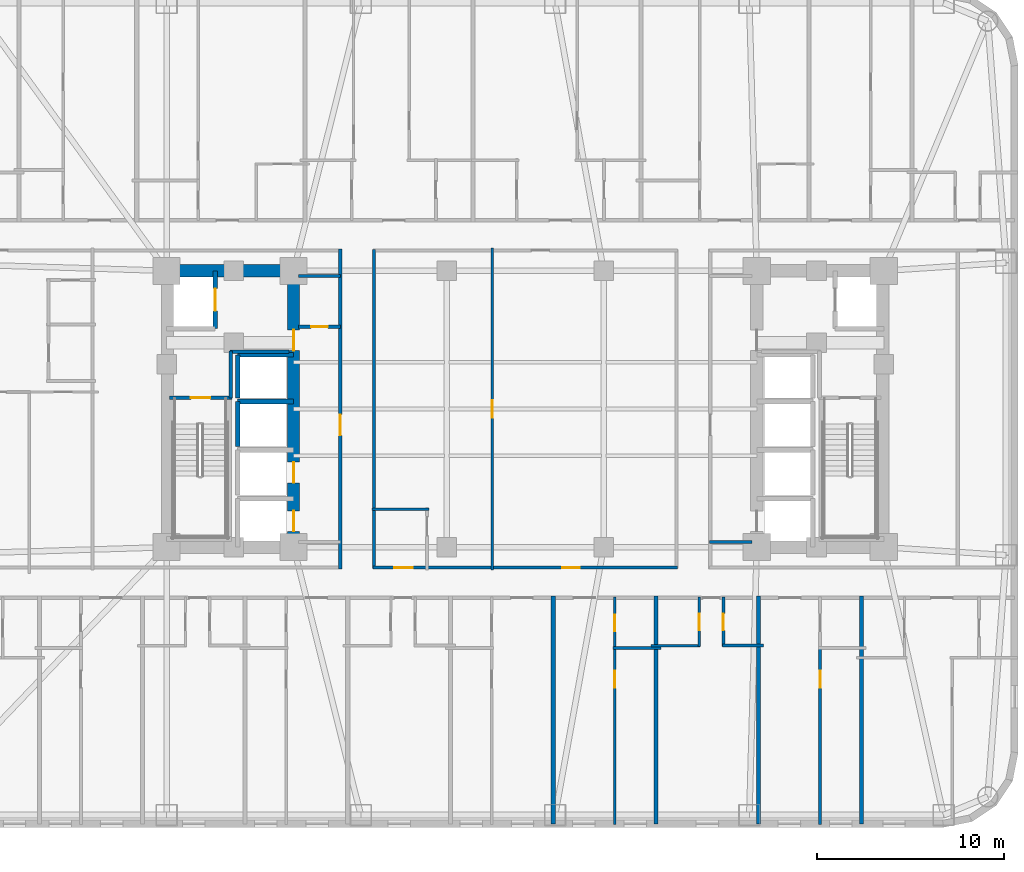
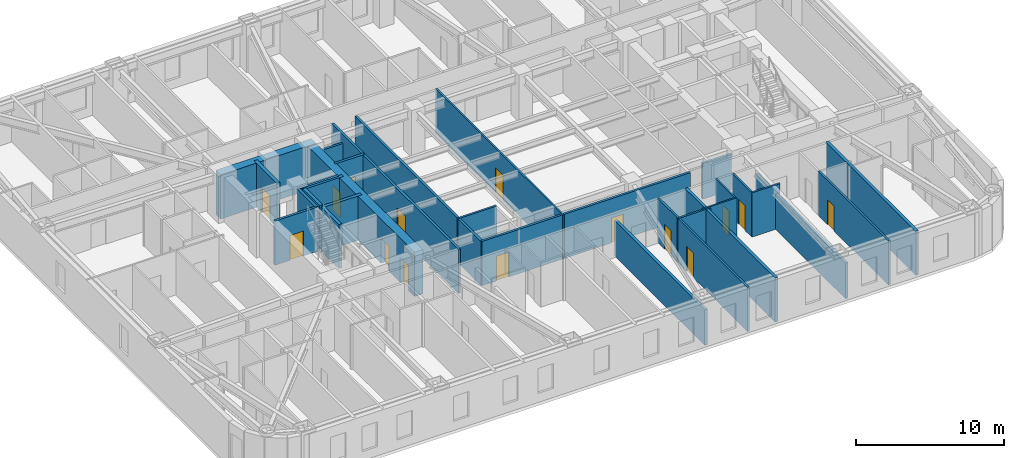
# One storey, part 5 of 11: 30 walls, 15 doors, 15 openings.
"""IFC4 building model written with IfcOpenShell, lengths in metres."""

from ifc_helpers import new_model, si_unit, direction, frame, frame_2d, origin, place, context, subcontext, project, spatial, rectangle, extrude, material, layer, layer_set, type_object, element, fill, save


model = new_model("IFC4")

# Units and contexts
model_context = context("Model", 3, precision=1e-05, world=origin(), true_north=direction((0.0, 1.0)))
body_context = subcontext(model_context, "Body", "Model", "MODEL_VIEW")
ifc_project = project(units=[si_unit("LENGTHUNIT", "METRE"), si_unit("AREAUNIT", "SQUARE_METRE"), si_unit("VOLUMEUNIT", "CUBIC_METRE"), si_unit("PLANEANGLEUNIT", "RADIAN"), si_unit("MASSUNIT", "GRAM", prefix="KILO")], contexts=[model_context])

# Site, building, storey
site_placement = place(None, origin())
site = spatial("IfcSite", under=ifc_project, at=site_placement, CompositionType="ELEMENT")
building_placement = place(site_placement, origin())
building = spatial("IfcBuilding", under=site, at=building_placement, Name="Voryun Gate Residences", CompositionType="ELEMENT")
storey_placement = place(building_placement, frame((0.0, 0.0, 68.89990234375)))
storey = spatial("IfcBuildingStorey", under=building, at=storey_placement, Name="L16", CompositionType="ELEMENT", Elevation=68.89990234375)

# Wall
ifc_material_1 = material(Name="Concrete C60/75", Category="concrete")
ifc_layer_1 = layer(ifc_material_1, 0.64990234375, Name="CW_CORE_650")
ifc_layer_set_1 = layer_set([ifc_layer_1], Name="Concrete C60/75")
wall_type_1 = type_object("IfcWallType", Name="CW_CORE_650", PredefinedType="SHEAR", material=ifc_layer_set_1)
wall_1_placement = place(storey_placement, frame((-19.52490234375, 7.39990234375, 0.0), z_axis=(0.0, 0.0, 1.0), x_axis=(1.0, 0.0, 0.0)))
element("IfcWall", 1, at=wall_1_placement, inside=storey, type_object=wall_type_1, Name="L16 Core shear wall CW-L16-WN", PredefinedType="SHEAR", context=body_context, shape_type="SweptSolid", body=[
    extrude(rectangle(XDim=7.449951171875, YDim=0.64990234375, at=frame_2d((3.72509765625, 0.0))), origin(), (0.0, 0.0, 1.0), 3.650146484375),
])

# Wall, openings, doors
wall_2_placement = place(storey_placement, frame((-12.39990234375, -7.39990234375, 0.0), z_axis=(0.0, 0.0, 1.0), x_axis=(0.0, 1.0, 0.0)))
wall_2 = element("IfcWall", 2, at=wall_2_placement, inside=storey, type_object=wall_type_1, Name="L16 Core shear wall CW-L16-WE", PredefinedType="SHEAR", context=body_context, shape_type="SweptSolid", body=[
    extrude(rectangle(XDim=14.7998046875, YDim=0.64990234375, at=frame_2d((7.39990234375, 0.0))), origin(), (0.0, 0.0, 1.0), 3.650146484375),
])
opening_1_placement = place(wall_2_placement, frame((0.85009765625, 0.0, 0.0)))
opening_1 = element("IfcOpeningElement", 3, at=opening_1_placement, cuts=wall_2, Name="Opening LD2", PredefinedType="OPENING", context=body_context, shape_type="SweptSolid", body=[
    extrude(rectangle(XDim=1.10009765625, YDim=2.050048828125, at=frame_2d((0.550048828125, 1.02490234375))), frame((0.0, 0.3349609375, 0.0), z_axis=(0.0, -1.0, 0.0), x_axis=(1.0, 0.0, 0.0)), (0.0, 0.0, 1.0), 0.669921875),
])
opening_2_placement = place(wall_2_placement, frame((3.449951171875, 0.0, 0.0)))
opening_2 = element("IfcOpeningElement", 4, at=opening_2_placement, cuts=wall_2, Name="Opening LD2", PredefinedType="OPENING", context=body_context, shape_type="SweptSolid", body=[
    extrude(rectangle(XDim=1.10009765625, YDim=2.050048828125, at=frame_2d((0.550048828125, 1.02490234375))), frame((0.0, 0.3349609375, 0.0), z_axis=(0.0, -1.0, 0.0), x_axis=(1.0, 0.0, 0.0)), (0.0, 0.0, 1.0), 0.669921875),
])
opening_3_placement = place(wall_2_placement, frame((10.530029296875, 0.0, 0.0)))
opening_3 = element("IfcOpeningElement", 5, at=opening_3_placement, cuts=wall_2, Name="Opening D-FD60-2", PredefinedType="OPENING", context=body_context, shape_type="SweptSolid", body=[
    extrude(rectangle(XDim=1.10009765625, YDim=2.050048828125, at=frame_2d((0.550048828125, 1.02490234375))), frame((0.0, 0.3349609375, 0.0), z_axis=(0.0, -1.0, 0.0), x_axis=(1.0, 0.0, 0.0)), (0.0, 0.0, 1.0), 0.669921875),
])
ifc_material_2 = material(Name="Painted steel fire door", Category="steel")
door_type_1 = type_object("IfcDoorType", Name="DR_FD60_FFLOB_1100", OperationType="NOTDEFINED", PredefinedType="DOOR", material=ifc_material_2)
door_1_placement = place(opening_3_placement, origin())
door_1 = element("IfcDoor", 6, at=door_1_placement, inside=storey, type_object=door_type_1, Name="Door DR-L16-CLOB-W", OperationType="SINGLE_SWING_LEFT", OverallHeight=2.050048828125, OverallWidth=1.10009765625, PredefinedType="DOOR", context=body_context, shape_type="SweptSolid", body=[
    extrude(rectangle(XDim=1.10009765625, YDim=2.050048828125, at=frame_2d((0.550048828125, 1.02490234375))), frame((0.0, 0.02490234375, 0.0), z_axis=(0.0, -1.0, 0.0), x_axis=(1.0, 0.0, 0.0)), (0.0, 0.0, 1.0), 0.050048828125),
])
fill(opening_3, door_1)
ifc_material_3 = material(Name="Anodised aluminium", Category="aluminium")
door_type_2 = type_object("IfcDoorType", Name="DR_LD_PASS_1100", OperationType="NOTDEFINED", PredefinedType="DOOR", material=ifc_material_3)
door_2_placement = place(opening_1_placement, origin())
door_2 = element("IfcDoor", 7, at=door_2_placement, inside=storey, type_object=door_type_2, Name="Lift EL-P1 sliding landing door L16", OperationType="SLIDING_TO_LEFT", OverallHeight=2.050048828125, OverallWidth=1.10009765625, PredefinedType="DOOR", context=body_context, shape_type="SweptSolid", body=[
    extrude(rectangle(XDim=1.10009765625, YDim=2.050048828125, at=frame_2d((0.550048828125, 1.02490234375))), frame((0.0, 0.02490234375, 0.0), z_axis=(0.0, -1.0, 0.0), x_axis=(1.0, 0.0, 0.0)), (0.0, 0.0, 1.0), 0.050048828125),
])
fill(opening_1, door_2)
door_3_placement = place(opening_2_placement, origin())
door_3 = element("IfcDoor", 8, at=door_3_placement, inside=storey, type_object=door_type_2, Name="Lift EL-P2 sliding landing door L16", OperationType="SLIDING_TO_LEFT", OverallHeight=2.050048828125, OverallWidth=1.10009765625, PredefinedType="DOOR", context=body_context, shape_type="SweptSolid", body=[
    extrude(rectangle(XDim=1.10009765625, YDim=2.050048828125, at=frame_2d((0.550048828125, 1.02490234375))), frame((0.0, 0.02490234375, 0.0), z_axis=(0.0, -1.0, 0.0), x_axis=(1.0, 0.0, 0.0)), (0.0, 0.0, 1.0), 0.050048828125),
])
fill(opening_2, door_3)

# Wall, opening, door
ifc_material_4 = material(Name="Gypsum acoustic fireboard")
ifc_layer_2 = layer(ifc_material_4, 0.179931640625, Name="W_CORR_RATED_180")
ifc_layer_set_2 = layer_set([ifc_layer_2], Name="Gypsum acoustic fireboard")
wall_type_2 = type_object("IfcWallType", Name="W_CORR_RATED_180", PredefinedType="PARTITIONING", material=ifc_layer_set_2)
wall_3_placement = place(storey_placement, frame((-19.06005859375, 0.60009765625, 0.0), z_axis=(0.0, 0.0, 1.0), x_axis=(1.0, 0.0, 0.0)))
wall_3 = element("IfcWall", 9, at=wall_3_placement, inside=storey, type_object=wall_type_2, Name="Partition wall WP-L16-STV-W", PredefinedType="PARTITIONING", context=body_context, shape_type="SweptSolid", body=[
    extrude(rectangle(XDim=3.360107421875, YDim=0.179931640625, at=frame_2d((1.68017578125, 0.0))), origin(), (0.0, 0.0, 1.0), 3.650146484375),
])
opening_4_placement = place(wall_3_placement, frame((1.155029296875, 0.0, 0.0)))
opening_4 = element("IfcOpeningElement", 10, at=opening_4_placement, cuts=wall_3, Name="Opening D-FD60-1", PredefinedType="OPENING", context=body_context, shape_type="SweptSolid", body=[
    extrude(rectangle(XDim=1.050048828125, YDim=2.050048828125, at=frame_2d((0.52490234375, 1.02490234375))), frame((0.0, 0.099853515625, 0.0), z_axis=(0.0, -1.0, 0.0), x_axis=(1.0, 0.0, 0.0)), (0.0, 0.0, 1.0), 0.199951171875),
])
ifc_material_5 = material(Name="Painted steel fire door", Category="steel")
door_type_3 = type_object("IfcDoorType", Name="DR_FD60_STAIR_1050", OperationType="NOTDEFINED", PredefinedType="DOOR", material=ifc_material_5)
door_4_placement = place(opening_4_placement, origin())
door_4 = element("IfcDoor", 11, at=door_4_placement, inside=storey, type_object=door_type_3, Name="Door DR-L16-ST-W", OperationType="SINGLE_SWING_LEFT", OverallHeight=2.050048828125, OverallWidth=1.050048828125, PredefinedType="DOOR", context=body_context, shape_type="SweptSolid", body=[
    extrude(rectangle(XDim=1.050048828125, YDim=2.050048828125, at=frame_2d((0.52490234375, 1.02490234375))), frame((0.0, 0.02490234375, 0.0), z_axis=(0.0, -1.0, 0.0), x_axis=(1.0, 0.0, 0.0)), (0.0, 0.0, 1.0), 0.050048828125),
])
fill(opening_4, door_4)

# Walls
for number, where, z_axis, x_axis, name in (
    (12, (-12.14990234375, 7.1201171875, 0.0), (0.0, 0.0, 1.0), (1.0, 0.0, 0.0), "Partition wall WP-L16-PLBN-W"),
    (13, (9.8798828125, -7.1201171875, 0.0), (0.0, 0.0, 1.0), (1.0, 0.0, 0.0), "Partition wall WP-L16-PLBS-E"),
):
    element("IfcWall", number, at=place(storey_placement, frame(where, z_axis=z_axis, x_axis=x_axis)), inside=storey, type_object=wall_type_2, Name=name, PredefinedType="PARTITIONING", context=body_context, shape_type="SweptSolid", body=[
        extrude(rectangle(XDim=2.27001953125, YDim=0.179931640625, at=frame_2d((1.135009765625, 0.0))), origin(), (0.0, 0.0, 1.0), 2.940185546875),
    ])

# Wall, opening, door
wall_4_placement = place(storey_placement, frame((-9.89990234375, -8.580078125, 0.0), z_axis=(0.0, 0.0, 1.0), x_axis=(0.0, 1.0, 0.0)))
wall_4 = element("IfcWall", 14, at=wall_4_placement, inside=storey, type_object=wall_type_2, Name="Partition wall WP-L16-PLBW-FULL", PredefinedType="PARTITIONING", context=body_context, shape_type="SweptSolid", body=[
    extrude(rectangle(XDim=17.16015625, YDim=0.179931640625, at=frame_2d((8.580078125, 0.0))), origin(), (0.0, 0.0, 1.0), 3.650146484375),
])
opening_5_placement = place(wall_4_placement, frame((7.172119140625, 0.0, 0.0)))
opening_5 = element("IfcOpeningElement", 15, at=opening_5_placement, cuts=wall_4, Name="Opening D-FD60-2", PredefinedType="OPENING", context=body_context, shape_type="SweptSolid", body=[
    extrude(rectangle(XDim=1.10009765625, YDim=2.050048828125, at=frame_2d((0.550048828125, 1.02490234375))), frame((0.0, 0.099853515625, 0.0), z_axis=(0.0, -1.0, 0.0), x_axis=(1.0, 0.0, 0.0)), (0.0, 0.0, 1.0), 0.199951171875),
])
door_5_placement = place(opening_5_placement, origin())
door_5 = element("IfcDoor", 16, at=door_5_placement, inside=storey, type_object=door_type_1, Name="Door DR-L16-PLBW-COR", OperationType="SINGLE_SWING_LEFT", OverallHeight=2.050048828125, OverallWidth=1.10009765625, PredefinedType="DOOR", context=body_context, shape_type="SweptSolid", body=[
    extrude(rectangle(XDim=1.10009765625, YDim=2.050048828125, at=frame_2d((0.550048828125, 1.02490234375))), frame((0.0, 0.02490234375, 0.0), z_axis=(0.0, -1.0, 0.0), x_axis=(1.0, 0.0, 0.0)), (0.0, 0.0, 1.0), 0.050048828125),
])
fill(opening_5, door_5)

# Wall, openings, doors
wall_5_placement = place(storey_placement, frame((-8.14990234375, -8.489990234375, 0.0), z_axis=(0.0, 0.0, 1.0), x_axis=(1.0, 0.0, 0.0)))
wall_5 = element("IfcWall", 17, at=wall_5_placement, inside=storey, type_object=wall_type_2, Name="Partition wall WP-L16-Z1S", PredefinedType="PARTITIONING", context=body_context, shape_type="SweptSolid", body=[
    extrude(rectangle(XDim=16.2998046875, YDim=0.179931640625, at=frame_2d((8.14990234375, 0.0))), origin(), (0.0, 0.0, 1.0), 3.650146484375),
])
opening_6_placement = place(wall_5_placement, frame((1.1298828125, 0.0, 0.0)))
opening_6 = element("IfcOpeningElement", 18, at=opening_6_placement, cuts=wall_5, Name="Opening D-AWC-1", PredefinedType="OPENING", context=body_context, shape_type="SweptSolid", body=[
    extrude(rectangle(XDim=1.0, YDim=2.050048828125, at=frame_2d((0.5, 1.02490234375))), frame((0.0, 0.099853515625, 0.0), z_axis=(0.0, -1.0, 0.0), x_axis=(1.0, 0.0, 0.0)), (0.0, 0.0, 1.0), 0.199951171875),
])
opening_7_placement = place(wall_5_placement, frame((10.1201171875, 0.0, 0.0)))
opening_7 = element("IfcOpeningElement", 19, at=opening_7_placement, cuts=wall_5, Name="Opening D-INT-1", PredefinedType="OPENING", context=body_context, shape_type="SweptSolid", body=[
    extrude(rectangle(XDim=0.949951171875, YDim=2.050048828125, at=frame_2d((0.47509765625, 1.02490234375))), frame((0.0, 0.099853515625, 0.0), z_axis=(0.0, -1.0, 0.0), x_axis=(1.0, 0.0, 0.0)), (0.0, 0.0, 1.0), 0.199951171875),
])
ifc_material_6 = material(Name="Architectural oak veneer")
door_type_4 = type_object("IfcDoorType", Name="DR_ACC_WC_1000", OperationType="NOTDEFINED", PredefinedType="DOOR", material=ifc_material_6)
door_6_placement = place(opening_6_placement, origin())
door_6 = element("IfcDoor", 20, at=door_6_placement, inside=storey, type_object=door_type_4, Name="Door DR-L16-CMWC-D", OperationType="SINGLE_SWING_LEFT", OverallHeight=2.050048828125, OverallWidth=1.0, PredefinedType="DOOR", context=body_context, shape_type="SweptSolid", body=[
    extrude(rectangle(XDim=1.0, YDim=2.050048828125, at=frame_2d((0.5, 1.02490234375))), frame((0.0, 0.02490234375, 0.0), z_axis=(0.0, -1.0, 0.0), x_axis=(1.0, 0.0, 0.0)), (0.0, 0.0, 1.0), 0.050048828125),
])
fill(opening_6, door_6)
ifc_material_7 = material(Name="Architectural oak veneer")
door_type_5 = type_object("IfcDoorType", Name="DR_INT_ROOM_950", OperationType="NOTDEFINED", PredefinedType="DOOR", material=ifc_material_7)
door_7_placement = place(opening_7_placement, origin())
door_7 = element("IfcDoor", 21, at=door_7_placement, inside=storey, type_object=door_type_5, Name="Door DR-L16-CMIDZ1S", OperationType="SINGLE_SWING_RIGHT", OverallHeight=2.050048828125, OverallWidth=0.949951171875, PredefinedType="DOOR", context=body_context, shape_type="SweptSolid", body=[
    extrude(rectangle(XDim=0.949951171875, YDim=2.050048828125, at=frame_2d((0.47509765625, 1.02490234375))), frame((0.0, 0.02490234375, 0.0), z_axis=(0.0, -1.0, 0.0), x_axis=(1.0, 0.0, 0.0)), (0.0, 0.0, 1.0), 0.050048828125),
])
fill(opening_7, door_7)

# Walls
wall_6_placement = place(storey_placement, frame((-8.10009765625, -8.530029296875, 0.0), z_axis=(0.0, 0.0, 1.0), x_axis=(0.0, 1.0, 0.0)))
element("IfcWall", 22, at=wall_6_placement, inside=storey, type_object=wall_type_2, Name="Partition wall WP-L16-Z1W", PredefinedType="PARTITIONING", context=body_context, shape_type="SweptSolid", body=[
    extrude(rectangle(XDim=17.06005859375, YDim=0.179931640625, at=frame_2d((8.530029296875, 0.0))), origin(), (0.0, 0.0, 1.0), 3.650146484375),
])
ifc_material_8 = material(Name="Concrete C40/50", Category="concrete")
ifc_layer_3 = layer(ifc_material_8, 0.199951171875, Name="W_FF_LOBBY_200")
ifc_layer_set_3 = layer_set([ifc_layer_3], Name="Concrete C40/50")
wall_type_3 = type_object("IfcWallType", Name="W_FF_LOBBY_200", PredefinedType="PARTITIONING", material=ifc_layer_set_3)
wall_7_placement = place(storey_placement, frame((-15.760009765625, 0.580078125, 0.0), z_axis=(0.0, 0.0, 1.0), x_axis=(0.0, 1.0, 0.0)))
element("IfcWall", 23, at=wall_7_placement, inside=storey, type_object=wall_type_3, Name="Partition wall WP-L16-FFP0-W", PredefinedType="PARTITIONING", context=body_context, shape_type="SweptSolid", body=[
    extrude(rectangle(XDim=2.52001953125, YDim=0.199951171875, at=frame_2d((1.260009765625, 0.0))), origin(), (0.0, 0.0, 1.0), 3.650146484375),
])
wall_8_placement = place(storey_placement, frame((-15.820068359375, 3.06005859375, 0.0), z_axis=(0.0, 0.0, 1.0), x_axis=(1.0, 0.0, 0.0)))
element("IfcWall", 24, at=wall_8_placement, inside=storey, type_object=wall_type_3, Name="Partition wall WP-L16-FFPS-W", PredefinedType="PARTITIONING", context=body_context, shape_type="SweptSolid", body=[
    extrude(rectangle(XDim=3.16015625, YDim=0.199951171875, at=frame_2d((1.580078125, 0.0))), origin(), (0.0, 0.0, 1.0), 3.650146484375),
])

# Wall, opening, door
wall_9_placement = place(storey_placement, frame((-12.14990234375, 4.409912109375, 0.0), z_axis=(0.0, 0.0, 1.0), x_axis=(1.0, 0.0, 0.0)))
wall_9 = element("IfcWall", 25, at=wall_9_placement, inside=storey, type_object=wall_type_3, Name="Partition wall WP-L16-CSFLKS-W", PredefinedType="PARTITIONING", context=body_context, shape_type="SweptSolid", body=[
    extrude(rectangle(XDim=2.27001953125, YDim=0.199951171875, at=frame_2d((1.135009765625, 0.0))), origin(), (0.0, 0.0, 1.0), 3.650146484375),
])
opening_8_placement = place(wall_9_placement, frame((0.68505859375, 0.0, 0.0)))
opening_8 = element("IfcOpeningElement", 26, at=opening_8_placement, cuts=wall_9, Name="Opening D-FD60-4", PredefinedType="OPENING", context=body_context, shape_type="SweptSolid", body=[
    extrude(rectangle(XDim=0.89990234375, YDim=2.050048828125, at=frame_2d((0.449951171875, 1.02490234375))), frame((0.0, 0.110107421875, 0.0), z_axis=(0.0, -1.0, 0.0), x_axis=(1.0, 0.0, 0.0)), (0.0, 0.0, 1.0), 0.219970703125),
])
ifc_material_9 = material(Name="Painted steel fire door", Category="steel")
door_type_6 = type_object("IfcDoorType", Name="DR_FD60_RISER_900", OperationType="NOTDEFINED", PredefinedType="DOOR", material=ifc_material_9)
door_8_placement = place(opening_8_placement, origin())
door_8 = element("IfcDoor", 27, at=door_8_placement, inside=storey, type_object=door_type_6, Name="Door DR-L16-CSFLK-W", OperationType="SINGLE_SWING_LEFT", OverallHeight=2.050048828125, OverallWidth=0.89990234375, PredefinedType="DOOR", context=body_context, shape_type="SweptSolid", body=[
    extrude(rectangle(XDim=0.89990234375, YDim=2.050048828125, at=frame_2d((0.449951171875, 1.02490234375))), frame((0.0, 0.02490234375, 0.0), z_axis=(0.0, -1.0, 0.0), x_axis=(1.0, 0.0, 0.0)), (0.0, 0.0, 1.0), 0.050048828125),
])
fill(opening_8, door_8)

# Walls
ifc_material_10 = material(Name="Concrete C40/50", Category="concrete")
ifc_layer_4 = layer(ifc_material_10, 0.219970703125, Name="W_PARTY_ACOUSTIC_220")
ifc_layer_set_4 = layer_set([ifc_layer_4], Name="Concrete C40/50")
wall_type_4 = type_object("IfcWallType", Name="W_PARTY_ACOUSTIC_220", PredefinedType="PARTITIONING", material=ifc_layer_set_4)
wall_10_placement = place(storey_placement, frame((1.5, -22.2099609375, 0.0), z_axis=(0.0, 0.0, 1.0), x_axis=(0.0, 1.0, 0.0)))
element("IfcWall", 28, at=wall_10_placement, inside=storey, type_object=wall_type_4, Name="Partition wall WP-L16-SPTY-6", PredefinedType="PARTITIONING", context=body_context, shape_type="SweptSolid", body=[
    extrude(rectangle(XDim=12.18994140625, YDim=0.219970703125, at=frame_2d((6.094970703125, 0.0))), origin(), (0.0, 0.0, 1.0), 2.940185546875),
])
wall_11_placement = place(storey_placement, frame((7.0, -22.2099609375, 0.0), z_axis=(0.0, 0.0, 1.0), x_axis=(0.0, 1.0, 0.0)))
element("IfcWall", 29, at=wall_11_placement, inside=storey, type_object=wall_type_4, Name="Partition wall WP-L16-SPTY-7", PredefinedType="PARTITIONING", context=body_context, shape_type="SweptSolid", body=[
    extrude(rectangle(XDim=12.18994140625, YDim=0.219970703125, at=frame_2d((6.094970703125, 0.0))), origin(), (0.0, 0.0, 1.0), 3.650146484375),
])
wall_12_placement = place(storey_placement, frame((12.5, -22.2099609375, 0.0), z_axis=(0.0, 0.0, 1.0), x_axis=(0.0, 1.0, 0.0)))
element("IfcWall", 30, at=wall_12_placement, inside=storey, type_object=wall_type_4, Name="Partition wall WP-L16-SPTY-8", PredefinedType="PARTITIONING", context=body_context, shape_type="SweptSolid", body=[
    extrude(rectangle(XDim=12.18994140625, YDim=0.219970703125, at=frame_2d((6.094970703125, 0.0))), origin(), (0.0, 0.0, 1.0), 2.940185546875),
])
wall_13_placement = place(storey_placement, frame((18.0, -22.2099609375, 0.0), z_axis=(0.0, 0.0, 1.0), x_axis=(0.0, 1.0, 0.0)))
element("IfcWall", 31, at=wall_13_placement, inside=storey, type_object=wall_type_4, Name="Partition wall WP-L16-SPTY-9", PredefinedType="PARTITIONING", context=body_context, shape_type="SweptSolid", body=[
    extrude(rectangle(XDim=12.18994140625, YDim=0.219970703125, at=frame_2d((6.094970703125, 0.0))), origin(), (0.0, 0.0, 1.0), 3.650146484375),
])

# Wall, opening, door
ifc_material_11 = material(Name="Concrete C50/60", Category="concrete")
ifc_layer_5 = layer(ifc_material_11, 0.25, Name="W_SHAFT_RC250")
ifc_layer_set_5 = layer_set([ifc_layer_5], Name="Concrete C50/60")
wall_type_5 = type_object("IfcWallType", Name="W_SHAFT_RC250", PredefinedType="SOLIDWALL", material=ifc_layer_set_5)
wall_14_placement = place(storey_placement, frame((-16.60009765625, 4.300048828125, 0.0), z_axis=(0.0, 0.0, 1.0), x_axis=(0.0, 1.0, 0.0)))
wall_14 = element("IfcWall", 32, at=wall_14_placement, inside=storey, type_object=wall_type_5, Name="Lift shaft wall WSH-L16-EL-FF-W1-E", PredefinedType="SOLIDWALL", context=body_context, shape_type="SweptSolid", body=[
    extrude(rectangle(XDim=3.099853515625, YDim=0.25, at=frame_2d((1.5498046875, 0.0))), origin(), (0.0, 0.0, 1.0), 3.650146484375),
])
opening_9_placement = place(wall_14_placement, frame((0.949951171875, 0.0, 0.0)))
opening_9 = element("IfcOpeningElement", 33, at=opening_9_placement, cuts=wall_14, Name="Opening LD1", PredefinedType="OPENING", context=body_context, shape_type="SweptSolid", body=[
    extrude(rectangle(XDim=1.199951171875, YDim=2.050048828125, at=frame_2d((0.60009765625, 1.02490234375))), frame((0.0, 0.135009765625, 0.0), z_axis=(0.0, -1.0, 0.0), x_axis=(1.0, 0.0, 0.0)), (0.0, 0.0, 1.0), 0.27001953125),
])
ifc_material_12 = material(Name="Anodised aluminium", Category="aluminium")
door_type_7 = type_object("IfcDoorType", Name="DR_LD_FF_1200", OperationType="NOTDEFINED", PredefinedType="DOOR", material=ifc_material_12)
door_9_placement = place(opening_9_placement, origin())
door_9 = element("IfcDoor", 34, at=door_9_placement, inside=storey, type_object=door_type_7, Name="Lift EL-FF-W1 sliding landing door L16", OperationType="SLIDING_TO_LEFT", OverallHeight=2.050048828125, OverallWidth=1.199951171875, PredefinedType="DOOR", context=body_context, shape_type="SweptSolid", body=[
    extrude(rectangle(XDim=1.199951171875, YDim=2.050048828125, at=frame_2d((0.60009765625, 1.02490234375))), frame((0.0, 0.02490234375, 0.0), z_axis=(0.0, -1.0, 0.0), x_axis=(1.0, 0.0, 0.0)), (0.0, 0.0, 1.0), 0.050048828125),
])
fill(opening_9, door_9)

# Walls
wall_15_placement = place(storey_placement, frame((-12.39990234375, 0.39990234375, 0.0), z_axis=(0.0, 0.0, 1.0), x_axis=(-1.0, 0.0, 0.0)))
element("IfcWall", 35, at=wall_15_placement, inside=storey, type_object=wall_type_5, Name="Lift shaft wall WSH-L16-EL-P4-N", PredefinedType="SOLIDWALL", context=body_context, shape_type="SweptSolid", body=[
    extrude(rectangle(XDim=3.0, YDim=0.25, at=frame_2d((1.5, 0.0))), origin(), (0.0, 0.0, 1.0), 3.650146484375),
])
wall_16_placement = place(storey_placement, frame((-15.39990234375, 0.39990234375, 0.0), z_axis=(0.0, 0.0, 1.0), x_axis=(0.0, -1.0, 0.0)))
element("IfcWall", 36, at=wall_16_placement, inside=storey, type_object=wall_type_5, Name="Lift shaft wall WSH-L16-EL-P4-W", PredefinedType="SOLIDWALL", context=body_context, shape_type="SweptSolid", body=[
    extrude(rectangle(XDim=2.39990234375, YDim=0.25, at=frame_2d((1.199951171875, 0.0))), origin(), (0.0, 0.0, 1.0), 3.650146484375),
])
wall_17_placement = place(storey_placement, frame((-12.39990234375, 2.89990234375, 0.0), z_axis=(0.0, 0.0, 1.0), x_axis=(-1.0, 0.0, 0.0)))
element("IfcWall", 37, at=wall_17_placement, inside=storey, type_object=wall_type_5, Name="Lift shaft wall WSH-L16-EL-P7-N", PredefinedType="SOLIDWALL", context=body_context, shape_type="SweptSolid", body=[
    extrude(rectangle(XDim=3.0, YDim=0.25, at=frame_2d((1.5, 0.0))), origin(), (0.0, 0.0, 1.0), 3.650146484375),
])
wall_18_placement = place(storey_placement, frame((-15.39990234375, 2.89990234375, 0.0), z_axis=(0.0, 0.0, 1.0), x_axis=(0.0, -1.0, 0.0)))
element("IfcWall", 38, at=wall_18_placement, inside=storey, type_object=wall_type_5, Name="Lift shaft wall WSH-L16-EL-P7-W", PredefinedType="SOLIDWALL", context=body_context, shape_type="SweptSolid", body=[
    extrude(rectangle(XDim=2.2998046875, YDim=0.25, at=frame_2d((1.14990234375, 0.0))), origin(), (0.0, 0.0, 1.0), 3.650146484375),
])

# Wall, opening, door
ifc_material_13 = material(Name="Gypsum acoustic partition")
ifc_layer_6 = layer(ifc_material_13, 0.125, Name="W_UNIT_PART_125")
ifc_layer_set_6 = layer_set([ifc_layer_6], Name="Gypsum acoustic partition")
wall_type_6 = type_object("IfcWallType", Name="W_UNIT_PART_125", PredefinedType="PARTITIONING", material=ifc_layer_set_6)
wall_19_placement = place(storey_placement, frame((-1.77294921875, -8.6201171875, 0.0), z_axis=(0.0, 0.0, 1.0), x_axis=(0.0, 1.0, 0.0)))
wall_19 = element("IfcWall", 39, at=wall_19_placement, inside=storey, type_object=wall_type_6, Name="Partition wall WP-L16-MIDX-0", PredefinedType="PARTITIONING", context=body_context, shape_type="SweptSolid", body=[
    extrude(rectangle(XDim=17.240234375, YDim=0.125, at=frame_2d((8.6201171875, 0.0))), origin(), (0.0, 0.0, 1.0), 3.650146484375),
])
opening_10_placement = place(wall_19_placement, frame((8.14501953125, 0.0, 0.0)))
opening_10 = element("IfcOpeningElement", 40, at=opening_10_placement, cuts=wall_19, Name="Opening D-INT-1", PredefinedType="OPENING", context=body_context, shape_type="SweptSolid", body=[
    extrude(rectangle(XDim=0.949951171875, YDim=2.050048828125, at=frame_2d((0.47509765625, 1.02490234375))), frame((0.0, 0.072509765625, 0.0), z_axis=(0.0, -1.0, 0.0), x_axis=(1.0, 0.0, 0.0)), (0.0, 0.0, 1.0), 0.14501953125),
])
door_10_placement = place(opening_10_placement, origin())
door_10 = element("IfcDoor", 41, at=door_10_placement, inside=storey, type_object=door_type_5, Name="Door DR-L16-MIDX-0", OperationType="SINGLE_SWING_LEFT", OverallHeight=2.050048828125, OverallWidth=0.949951171875, PredefinedType="DOOR", context=body_context, shape_type="SweptSolid", body=[
    extrude(rectangle(XDim=0.949951171875, YDim=2.050048828125, at=frame_2d((0.47509765625, 1.02490234375))), frame((0.0, 0.02490234375, 0.0), z_axis=(0.0, -1.0, 0.0), x_axis=(1.0, 0.0, 0.0)), (0.0, 0.0, 1.0), 0.050048828125),
])
fill(opening_10, door_10)

wall_20_placement = place(storey_placement, frame((9.31005859375, -12.72998046875, 0.0), z_axis=(0.0, 0.0, 1.0), x_axis=(0.0, 1.0, 0.0)))
wall_20 = element("IfcWall", 42, at=wall_20_placement, inside=storey, type_object=wall_type_6, Name="Partition wall WP-L16-S8-CVK", PredefinedType="PARTITIONING", context=body_context, shape_type="SweptSolid", body=[
    extrude(rectangle(XDim=2.64990234375, YDim=0.125, at=frame_2d((1.324951171875, 0.0))), origin(), (0.0, 0.0, 1.0), 3.650146484375),
])
opening_11_placement = place(wall_20_placement, frame((0.875, 0.0, 0.0)))
opening_11 = element("IfcOpeningElement", 43, at=opening_11_placement, cuts=wall_20, Name="Opening D-INT-2", PredefinedType="OPENING", context=body_context, shape_type="SweptSolid", body=[
    extrude(rectangle(XDim=0.89990234375, YDim=2.050048828125, at=frame_2d((0.449951171875, 1.02490234375))), frame((0.0, 0.072509765625, 0.0), z_axis=(0.0, -1.0, 0.0), x_axis=(1.0, 0.0, 0.0)), (0.0, 0.0, 1.0), 0.14501953125),
])
ifc_material_14 = material(Name="Architectural oak veneer")
door_type_8 = type_object("IfcDoorType", Name="DR_INT_BATH_900", OperationType="NOTDEFINED", PredefinedType="DOOR", material=ifc_material_14)
door_11_placement = place(opening_11_placement, origin())
door_11 = element("IfcDoor", 44, at=door_11_placement, inside=storey, type_object=door_type_8, Name="Door DR-L16-S8-DK", OperationType="SINGLE_SWING_LEFT", OverallHeight=2.050048828125, OverallWidth=0.89990234375, PredefinedType="DOOR", context=body_context, shape_type="SweptSolid", body=[
    extrude(rectangle(XDim=0.89990234375, YDim=2.050048828125, at=frame_2d((0.449951171875, 1.02490234375))), frame((0.0, 0.02490234375, 0.0), z_axis=(0.0, -1.0, 0.0), x_axis=(1.0, 0.0, 0.0)), (0.0, 0.0, 1.0), 0.050048828125),
])
fill(opening_11, door_11)

# Walls
wall_21_placement = place(storey_placement, frame((6.739990234375, -12.669921875, 0.0), z_axis=(0.0, 0.0, 1.0), x_axis=(1.0, 0.0, 0.0)))
element("IfcWall", 45, at=wall_21_placement, inside=storey, type_object=wall_type_6, Name="Partition wall WP-L16-S8-CHK", PredefinedType="PARTITIONING", context=body_context, shape_type="SweptSolid", body=[
    extrude(rectangle(XDim=2.630126953125, YDim=0.125, at=frame_2d((1.31494140625, 0.0))), origin(), (0.0, 0.0, 1.0), 3.650146484375),
])
ifc_material_15 = material(Name="Gypsum moisture-resistant partition")
ifc_layer_7 = layer(ifc_material_15, 0.14990234375, Name="W_WET_PLUMB_150")
ifc_layer_set_7 = layer_set([ifc_layer_7], Name="Gypsum moisture-resistant partition")
wall_type_7 = type_object("IfcWallType", Name="W_WET_PLUMB_150", PredefinedType="PLUMBINGWALL", material=ifc_layer_set_7)
wall_22_placement = place(storey_placement, frame((-8.2099609375, -5.3701171875, 0.0), z_axis=(0.0, 0.0, 1.0), x_axis=(1.0, 0.0, 0.0)))
element("IfcWall", 46, at=wall_22_placement, inside=storey, type_object=wall_type_7, Name="Partition wall WP-L16-CMWCY", PredefinedType="PLUMBINGWALL", context=body_context, shape_type="SweptSolid", body=[
    extrude(rectangle(XDim=3.050048828125, YDim=0.14990234375, at=frame_2d((1.52490234375, 0.0))), origin(), (0.0, 0.0, 1.0), 3.650146484375),
])
wall_23_placement = place(storey_placement, frame((4.7099609375, -12.800048828125, 0.0), z_axis=(0.0, 0.0, 1.0), x_axis=(1.0, 0.0, 0.0)))
element("IfcWall", 47, at=wall_23_placement, inside=storey, type_object=wall_type_7, Name="Partition wall WP-L16-S7-SKB", PredefinedType="PLUMBINGWALL", context=body_context, shape_type="SweptSolid", body=[
    extrude(rectangle(XDim=2.550048828125, YDim=0.14990234375, at=frame_2d((1.27490234375, 0.0))), origin(), (0.0, 0.0, 1.0), 3.650146484375),
])

# Wall, opening, door
wall_24_placement = place(storey_placement, frame((4.7900390625, -22.257568359375, 0.0), z_axis=(0.0, 0.0, 1.0), x_axis=(0.0, 1.0, 0.0)))
wall_24 = element("IfcWall", 48, at=wall_24_placement, inside=storey, type_object=wall_type_7, Name="Partition wall WP-L16-S7-SVT1", PredefinedType="PLUMBINGWALL", context=body_context, shape_type="SweptSolid", body=[
    extrude(rectangle(XDim=9.49755859375, YDim=0.14990234375, at=frame_2d((4.748779296875, 0.0))), origin(), (0.0, 0.0, 1.0), 3.650146484375),
])
opening_12_placement = place(wall_24_placement, frame((7.337890625, 0.0, 0.0)))
opening_12 = element("IfcOpeningElement", 49, at=opening_12_placement, cuts=wall_24, Name="Opening D-INT-2", PredefinedType="OPENING", context=body_context, shape_type="SweptSolid", body=[
    extrude(rectangle(XDim=0.89990234375, YDim=2.050048828125, at=frame_2d((0.449951171875, 1.02490234375))), frame((0.0, 0.0849609375, 0.0), z_axis=(0.0, -1.0, 0.0), x_axis=(1.0, 0.0, 0.0)), (0.0, 0.0, 1.0), 0.169921875),
])
door_12_placement = place(opening_12_placement, origin())
door_12 = element("IfcDoor", 50, at=door_12_placement, inside=storey, type_object=door_type_8, Name="Door DR-L16-S7-DK", OperationType="SINGLE_SWING_LEFT", OverallHeight=2.050048828125, OverallWidth=0.89990234375, PredefinedType="DOOR", context=body_context, shape_type="SweptSolid", body=[
    extrude(rectangle(XDim=0.89990234375, YDim=2.050048828125, at=frame_2d((0.449951171875, 1.02490234375))), frame((0.0, 0.02490234375, 0.0), z_axis=(0.0, -1.0, 0.0), x_axis=(1.0, 0.0, 0.0)), (0.0, 0.0, 1.0), 0.050048828125),
])
fill(opening_12, door_12)

wall_25_placement = place(storey_placement, frame((4.7900390625, -12.840087890625, 0.0), z_axis=(0.0, 0.0, 1.0), x_axis=(0.0, 1.0, 0.0)))
wall_25 = element("IfcWall", 51, at=wall_25_placement, inside=storey, type_object=wall_type_7, Name="Partition wall WP-L16-S7-SVT2", PredefinedType="PLUMBINGWALL", context=body_context, shape_type="SweptSolid", body=[
    extrude(rectangle(XDim=2.760009765625, YDim=0.14990234375, at=frame_2d((1.3798828125, 0.0))), origin(), (0.0, 0.0, 1.0), 3.650146484375),
])
opening_13_placement = place(wall_25_placement, frame((0.929931640625, 0.0, 0.0)))
opening_13 = element("IfcOpeningElement", 52, at=opening_13_placement, cuts=wall_25, Name="Opening D-INT-2", PredefinedType="OPENING", context=body_context, shape_type="SweptSolid", body=[
    extrude(rectangle(XDim=0.89990234375, YDim=2.050048828125, at=frame_2d((0.449951171875, 1.02490234375))), frame((0.0, 0.0849609375, 0.0), z_axis=(0.0, -1.0, 0.0), x_axis=(1.0, 0.0, 0.0)), (0.0, 0.0, 1.0), 0.169921875),
])
door_13_placement = place(opening_13_placement, origin())
door_13 = element("IfcDoor", 53, at=door_13_placement, inside=storey, type_object=door_type_8, Name="Door DR-L16-S7-DB", OperationType="SINGLE_SWING_RIGHT", OverallHeight=2.050048828125, OverallWidth=0.89990234375, PredefinedType="DOOR", context=body_context, shape_type="SweptSolid", body=[
    extrude(rectangle(XDim=0.89990234375, YDim=2.050048828125, at=frame_2d((0.449951171875, 1.02490234375))), frame((0.0, 0.02490234375, 0.0), z_axis=(0.0, -1.0, 0.0), x_axis=(1.0, 0.0, 0.0)), (0.0, 0.0, 1.0), 0.050048828125),
])
fill(opening_13, door_13)

wall_26_placement = place(storey_placement, frame((10.611083984375, -12.72998046875, 0.0), z_axis=(0.0, 0.0, 1.0), x_axis=(0.0, 1.0, 0.0)))
wall_26 = element("IfcWall", 54, at=wall_26_placement, inside=storey, type_object=wall_type_7, Name="Partition wall WP-L16-S8-CVB", PredefinedType="PLUMBINGWALL", context=body_context, shape_type="SweptSolid", body=[
    extrude(rectangle(XDim=2.64990234375, YDim=0.14990234375, at=frame_2d((1.324951171875, 0.0))), origin(), (0.0, 0.0, 1.0), 3.650146484375),
])
opening_14_placement = place(wall_26_placement, frame((0.875, 0.0, 0.0)))
opening_14 = element("IfcOpeningElement", 55, at=opening_14_placement, cuts=wall_26, Name="Opening D-INT-2", PredefinedType="OPENING", context=body_context, shape_type="SweptSolid", body=[
    extrude(rectangle(XDim=0.89990234375, YDim=2.050048828125, at=frame_2d((0.449951171875, 1.02490234375))), frame((0.0, 0.0849609375, 0.0), z_axis=(0.0, -1.0, 0.0), x_axis=(1.0, 0.0, 0.0)), (0.0, 0.0, 1.0), 0.169921875),
])
door_14_placement = place(opening_14_placement, origin())
door_14 = element("IfcDoor", 56, at=door_14_placement, inside=storey, type_object=door_type_8, Name="Door DR-L16-S8-DB", OperationType="SINGLE_SWING_RIGHT", OverallHeight=2.050048828125, OverallWidth=0.89990234375, PredefinedType="DOOR", context=body_context, shape_type="SweptSolid", body=[
    extrude(rectangle(XDim=0.89990234375, YDim=2.050048828125, at=frame_2d((0.449951171875, 1.02490234375))), frame((0.0, 0.02490234375, 0.0), z_axis=(0.0, -1.0, 0.0), x_axis=(1.0, 0.0, 0.0)), (0.0, 0.0, 1.0), 0.050048828125),
])
fill(opening_14, door_14)

# Wall
wall_27_placement = place(storey_placement, frame((10.551025390625, -12.669921875, 0.0), z_axis=(0.0, 0.0, 1.0), x_axis=(1.0, 0.0, 0.0)))
element("IfcWall", 57, at=wall_27_placement, inside=storey, type_object=wall_type_7, Name="Partition wall WP-L16-S8-CHB", PredefinedType="PLUMBINGWALL", context=body_context, shape_type="SweptSolid", body=[
    extrude(rectangle(XDim=2.208984375, YDim=0.14990234375, at=frame_2d((1.1044921875, 0.0))), origin(), (0.0, 0.0, 1.0), 3.650146484375),
])

# Wall, opening, door
wall_28_placement = place(storey_placement, frame((15.7900390625, -22.257568359375, 0.0), z_axis=(0.0, 0.0, 1.0), x_axis=(0.0, 1.0, 0.0)))
wall_28 = element("IfcWall", 58, at=wall_28_placement, inside=storey, type_object=wall_type_7, Name="Partition wall WP-L16-S9-SVT1", PredefinedType="PLUMBINGWALL", context=body_context, shape_type="SweptSolid", body=[
    extrude(rectangle(XDim=9.49755859375, YDim=0.14990234375, at=frame_2d((4.748779296875, 0.0))), origin(), (0.0, 0.0, 1.0), 3.650146484375),
])
opening_15_placement = place(wall_28_placement, frame((7.337890625, 0.0, 0.0)))
opening_15 = element("IfcOpeningElement", 59, at=opening_15_placement, cuts=wall_28, Name="Opening D-INT-2", PredefinedType="OPENING", context=body_context, shape_type="SweptSolid", body=[
    extrude(rectangle(XDim=0.89990234375, YDim=2.050048828125, at=frame_2d((0.449951171875, 1.02490234375))), frame((0.0, 0.0849609375, 0.0), z_axis=(0.0, -1.0, 0.0), x_axis=(1.0, 0.0, 0.0)), (0.0, 0.0, 1.0), 0.169921875),
])
door_15_placement = place(opening_15_placement, origin())
door_15 = element("IfcDoor", 60, at=door_15_placement, inside=storey, type_object=door_type_8, Name="Door DR-L16-S9-DK", OperationType="SINGLE_SWING_LEFT", OverallHeight=2.050048828125, OverallWidth=0.89990234375, PredefinedType="DOOR", context=body_context, shape_type="SweptSolid", body=[
    extrude(rectangle(XDim=0.89990234375, YDim=2.050048828125, at=frame_2d((0.449951171875, 1.02490234375))), frame((0.0, 0.02490234375, 0.0), z_axis=(0.0, -1.0, 0.0), x_axis=(1.0, 0.0, 0.0)), (0.0, 0.0, 1.0), 0.050048828125),
])
fill(opening_15, door_15)

save(model, "model.ifc")
